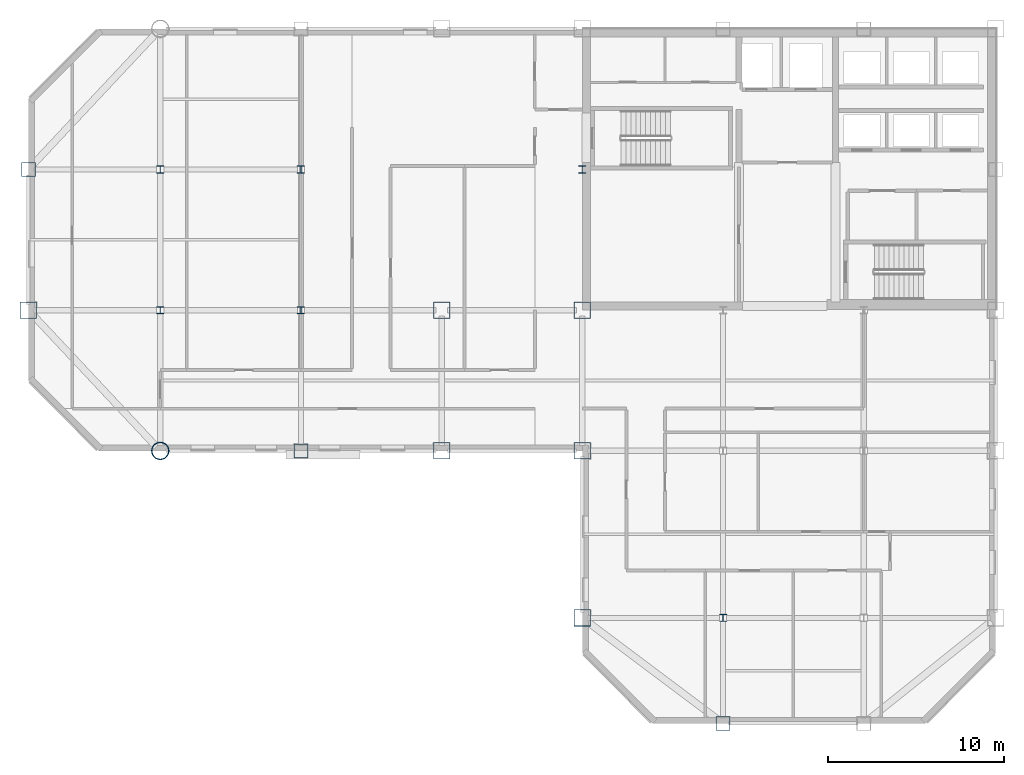
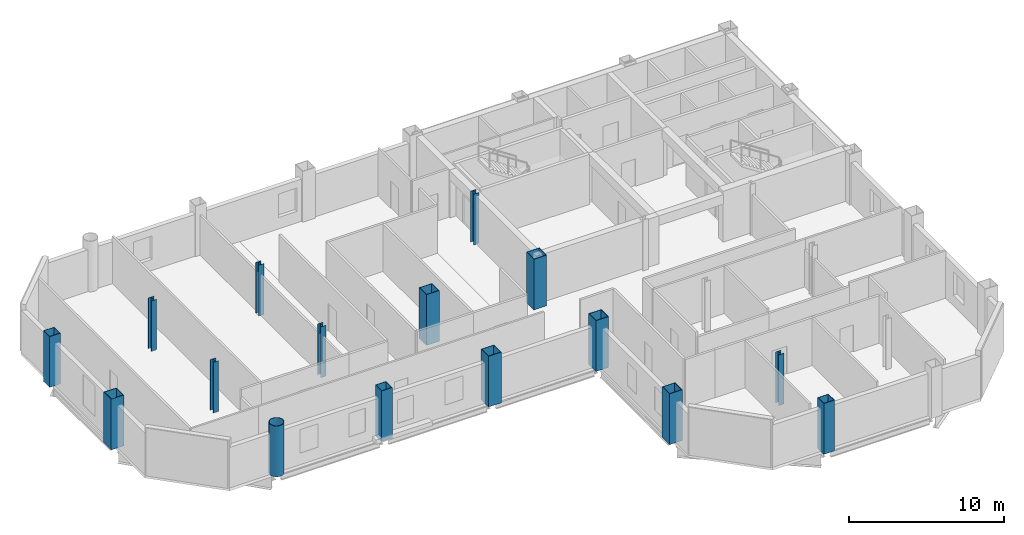
# One storey, part 1 of 11: 16 columns.
"""IFC4 building model written with IfcOpenShell, lengths in metres."""

from ifc_helpers import new_model, si_unit, direction, frame, origin, origin_2d, place, context, subcontext, project, spatial, hollow_rectangle, hollow_circle, i_section, extrude, material, material_profile, profile_set, type_object, element, save


model = new_model("IFC4")

# Units and contexts
model_context = context("Model", 3, precision=1e-05, world=origin(), true_north=direction((0.0, 1.0)))
body_context = subcontext(model_context, "Body", "Model", "MODEL_VIEW")
ifc_project = project(units=[si_unit("LENGTHUNIT", "METRE"), si_unit("AREAUNIT", "SQUARE_METRE"), si_unit("VOLUMEUNIT", "CUBIC_METRE"), si_unit("PLANEANGLEUNIT", "RADIAN"), si_unit("MASSUNIT", "GRAM", prefix="KILO")], contexts=[model_context])

# Site, building, storey
site_placement = place(None, origin())
site = spatial("IfcSite", under=ifc_project, at=site_placement, CompositionType="ELEMENT")
building_placement = place(site_placement, origin())
building = spatial("IfcBuilding", under=site, at=building_placement, Name="Qianrong Seaharbour Tower", CompositionType="ELEMENT")
storey_placement = place(building_placement, frame((0.0, 0.0, 265.800048828125)))
storey = spatial("IfcBuildingStorey", under=building, at=storey_placement, Name="L64", CompositionType="ELEMENT", Elevation=265.800048828125)

# Columns
ifc_material = material(Name="Structural steel SN490B", Category="steel")
ifc_material_profile_1 = material_profile(ifc_material, hollow_rectangle(XDim=0.949951171875, YDim=0.949951171875, WallThickness=0.035888671875, at=origin_2d()), Name="BOX950x950x36")
ifc_profile_set_1 = profile_set([ifc_material_profile_1], Name="Structural steel SN490B")
column_type_1 = type_object("IfcColumnType", Name="COL-CFT-950", PredefinedType="COLUMN", material=ifc_profile_set_1)
for number, where, z_axis, x_axis, name in (
    (1, (9.0, 36.0, 0.0), (0.0, 0.0, 1.0), (1.0, 0.0, 0.0), "L64 Column MC-4 at G2/GF"),
    (2, (32.5, 28.0, 0.0), (0.0, 0.0, 1.0), (1.0, 0.0, 0.0), "L64 Column MC-4 at G5/GE"),
    (3, (32.5, 36.0, 0.0), (0.0, 0.0, 1.0), (1.0, 0.0, 0.0), "L64 Column MC-4 at G5/GF"),
    (4, (40.5, 18.5, 0.0), (0.0, 0.0, 1.0), (1.0, 0.0, 0.0), "L64 Column MC-4 at G6/GD"),
    (5, (40.5, 28.0, 0.0), (0.0, 0.0, 1.0), (1.0, 0.0, 0.0), "L64 Column MC-4 at G6/GE"),
    (6, (40.5, 36.0, 0.0), (0.0, 0.0, 1.0), (1.0, 0.0, 0.0), "L64 Column MC-4 at G6/GF"),
):
    element("IfcColumn", number, at=place(storey_placement, frame(where, z_axis=z_axis, x_axis=x_axis)), inside=storey, type_object=column_type_1, Name=name, PredefinedType="COLUMN", context=body_context, shape_type="SweptSolid", body=[
        extrude(hollow_rectangle(XDim=0.949951171875, YDim=0.949951171875, WallThickness=0.035888671875, at=origin_2d()), origin(), (0.0, 0.0, 1.0), 4.0),
    ])
ifc_material_profile_2 = material_profile(ifc_material, hollow_circle(Radius=0.5, WallThickness=0.035888671875, at=origin_2d()), Name="CHS1000x36")
ifc_profile_set_2 = profile_set([ifc_material_profile_2], Name="Structural steel SN490B")
column_type_2 = type_object("IfcColumnType", Name="COL-CHS-1000", PredefinedType="COLUMN", material=ifc_profile_set_2)
column_placement = place(storey_placement, frame((16.5, 28.0, 0.0), z_axis=(0.0, 0.0, 1.0), x_axis=(1.0, 0.0, 0.0)))
element("IfcColumn", 7, at=column_placement, inside=storey, type_object=column_type_2, Name="L64 Column CC-2 at G3/GE", PredefinedType="COLUMN", context=body_context, shape_type="SweptSolid", body=[
    extrude(hollow_circle(Radius=0.5, WallThickness=0.035888671875, at=origin_2d()), origin(), (0.0, 0.0, 1.0), 4.0),
])
ifc_material_profile_3 = material_profile(ifc_material, i_section(OverallWidth=0.39990234375, OverallDepth=0.39990234375, WebThickness=0.012939453125, FlangeThickness=0.02099609375, FilletRadius=0.02197265625, at=origin_2d()), Name="H400x400x13x21")
ifc_profile_set_3 = profile_set([ifc_material_profile_3], Name="Structural steel SN490B")
column_type_3 = type_object("IfcColumnType", Name="COL-INT-H400", PredefinedType="COLUMN", material=ifc_profile_set_3)
for number, where, z_axis, x_axis, name in (
    (8, (16.5, 36.0, 0.0), (0.0, 0.0, 1.0), (1.0, 0.0, 0.0), "L64 Column IC-3 at G3/GF"),
    (9, (16.5, 44.0, 0.0), (0.0, 0.0, 1.0), (1.0, 0.0, 0.0), "L64 Column IC-3 at G3/GG"),
    (10, (24.5, 36.0, 0.0), (0.0, 0.0, 1.0), (1.0, 0.0, 0.0), "L64 Column IC-3 at G4/GF"),
    (11, (24.5, 44.0, 0.0), (0.0, 0.0, 1.0), (1.0, 0.0, 0.0), "L64 Column IC-3 at G4/GG"),
    (12, (40.5, 44.0, 0.0), (0.0, 0.0, 1.0), (1.0, 0.0, 0.0), "L64 Column IC-3 at G6/GG"),
    (13, (48.5, 18.5, 0.0), (0.0, 0.0, 1.0), (1.0, 0.0, 0.0), "L64 Column IC-3 at G7/GD"),
):
    element("IfcColumn", number, at=place(storey_placement, frame(where, z_axis=z_axis, x_axis=x_axis)), inside=storey, type_object=column_type_3, Name=name, PredefinedType="COLUMN", context=body_context, shape_type="SweptSolid", body=[
        extrude(i_section(OverallWidth=0.39990234375, OverallDepth=0.39990234375, WebThickness=0.012939453125, FlangeThickness=0.02099609375, FilletRadius=0.02197265625, at=origin_2d()), origin(), (0.0, 0.0, 1.0), 4.0),
    ])
ifc_material_profile_4 = material_profile(ifc_material, hollow_rectangle(XDim=0.800048828125, YDim=0.800048828125, WallThickness=0.031982421875, at=origin_2d()), Name="BOX800x800x32")
ifc_profile_set_4 = profile_set([ifc_material_profile_4], Name="Structural steel SN490B")
column_type_4 = type_object("IfcColumnType", Name="COL-PER-800", PredefinedType="COLUMN", material=ifc_profile_set_4)
for number, where, z_axis, x_axis, name in (
    (14, (9.0, 44.0, 0.0), (0.0, 0.0, 1.0), (1.0, 0.0, 0.0), "L64 Column PC-3 at G2/GG"),
    (15, (24.5, 28.0, 0.0), (0.0, 0.0, 1.0), (1.0, 0.0, 0.0), "L64 Column PC-3 at G4/GE"),
    (16, (48.5, 12.5, 0.0), (0.0, 0.0, 1.0), (1.0, 0.0, 0.0), "L64 Column PC-3 at G7/GC"),
):
    element("IfcColumn", number, at=place(storey_placement, frame(where, z_axis=z_axis, x_axis=x_axis)), inside=storey, type_object=column_type_4, Name=name, PredefinedType="COLUMN", context=body_context, shape_type="SweptSolid", body=[
        extrude(hollow_rectangle(XDim=0.800048828125, YDim=0.800048828125, WallThickness=0.031982421875, at=origin_2d()), origin(), (0.0, 0.0, 1.0), 4.0),
    ])

save(model, "model.ifc")
